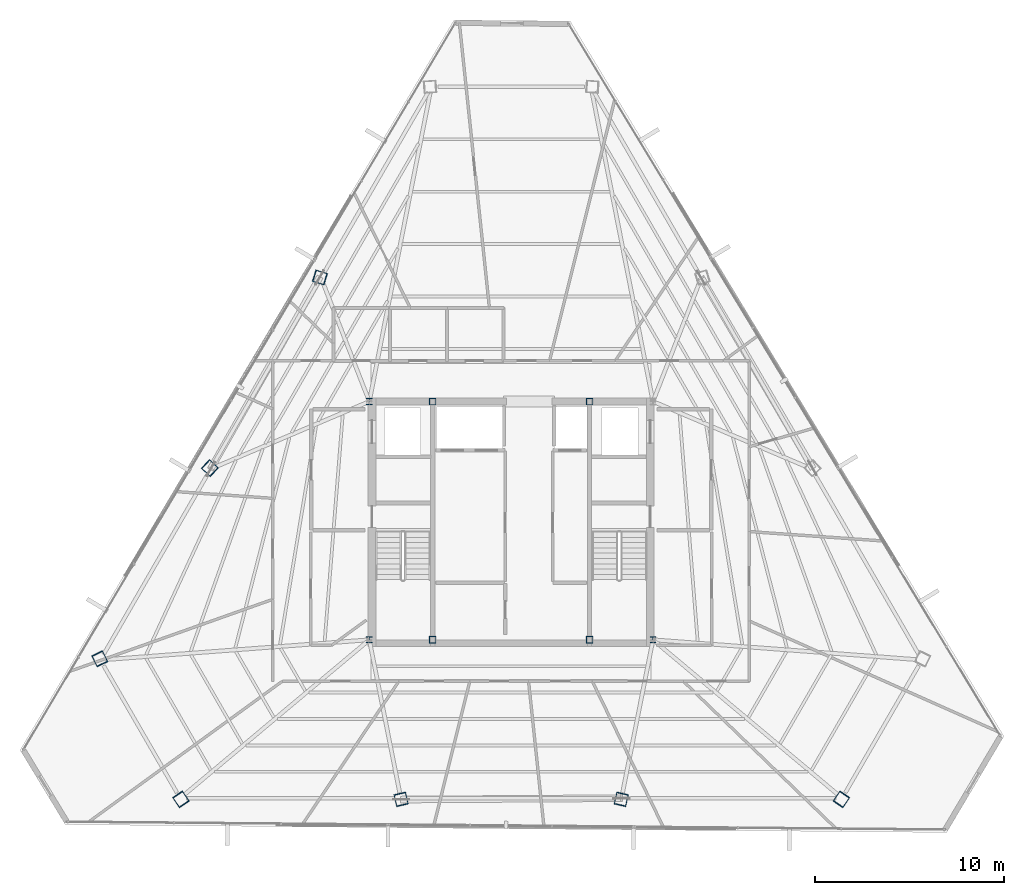
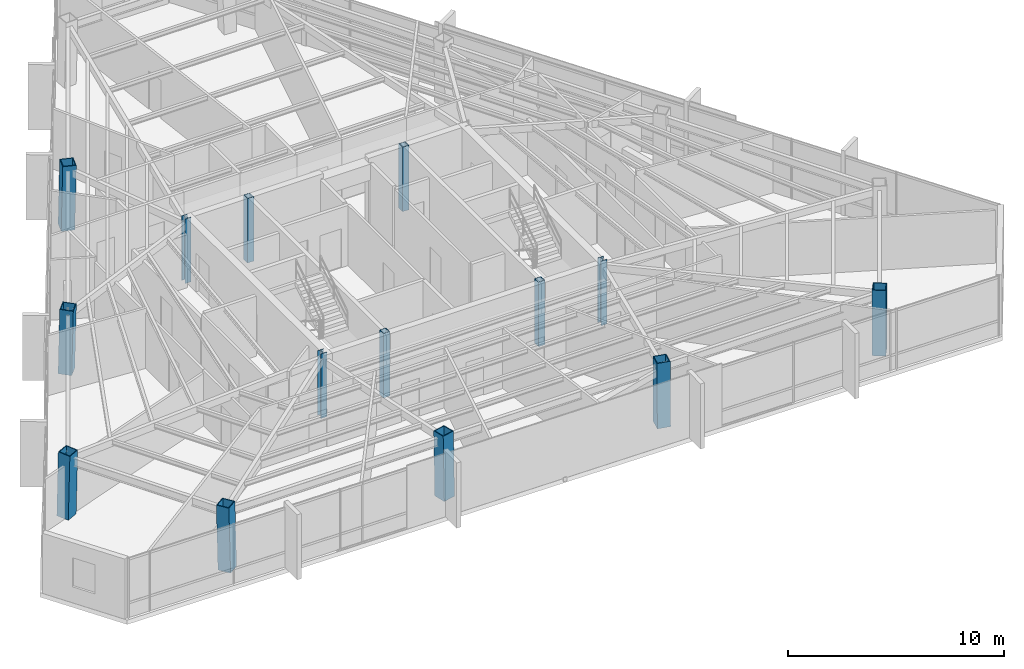
# One storey, part 1 of 46: 14 columns.
"""IFC4 building model written with IfcOpenShell, lengths in metres."""

from ifc_helpers import new_model, si_unit, direction, frame, origin, origin_2d, place, context, subcontext, project, spatial, hollow_rectangle, i_section, extrude, source, transform, mapped, material, material_profile, profile_set, type_object, type_shapes, element, save


model = new_model("IFC4")

# Units and contexts
model_context = context("Model", 3, precision=1e-05, world=origin(), true_north=direction((0.0, 1.0)))
body_context = subcontext(model_context, "Body", "Model", "MODEL_VIEW")
ifc_project = project(units=[si_unit("LENGTHUNIT", "METRE"), si_unit("AREAUNIT", "SQUARE_METRE"), si_unit("VOLUMEUNIT", "CUBIC_METRE"), si_unit("PLANEANGLEUNIT", "RADIAN"), si_unit("MASSUNIT", "GRAM", prefix="KILO")], contexts=[model_context])

# Site, building, storey
site_placement = place(None, origin())
site = spatial("IfcSite", under=ifc_project, at=site_placement, CompositionType="ELEMENT")
building_placement = place(site_placement, origin())
building = spatial("IfcBuilding", under=site, at=building_placement, Name="Caelisora Broadcast Tower", CompositionType="ELEMENT")
storey_placement = place(building_placement, frame((0.0, 0.0, 237.14990234375)))
storey = spatial("IfcBuildingStorey", under=building, at=storey_placement, Name="L62", CompositionType="ELEMENT", Elevation=237.14990234375)

# Columns
ifc_material_1 = material(Name="Steel Grade 350 (AS/NZS 1163 C350L0)", Category="steel")
ifc_material_profile_1 = material_profile(ifc_material_1, hollow_rectangle(XDim=0.35009765625, YDim=0.35009765625, WallThickness=0.01611328125, at=origin_2d()), Name="Steel Grade 350 (AS/NZS 1163 C350L0)")
ifc_profile_set_1 = profile_set([ifc_material_profile_1], Name="Steel Grade 350 (AS/NZS 1163 C350L0)")
column_type_1 = type_object("IfcColumnType", Name="CC07", PredefinedType="COLUMN", material=ifc_profile_set_1)
shared_shape_1 = source(origin(), body_context, "Body", "SweptSolid", [
    extrude(hollow_rectangle(XDim=0.35009765625, YDim=0.35009765625, WallThickness=0.01611328125, at=origin_2d()), origin(), (0.0, 0.0, 1.0), 3.650146484375),
])
type_shapes(column_type_1, [shared_shape_1])
for number, where, z_axis, x_axis, name in (
    (1, (33.85009765625, 17.39990234375, 0.0), (0.0, 0.0, 1.0), (1.0, 0.0, 0.0), "L62 column CC07"),
    (2, (42.14990234375, 17.39990234375, 0.0), (0.0, 0.0, 1.0), (1.0, 0.0, 0.0), "L62 column CC07"),
    (3, (33.85009765625, 30.0, 0.0), (0.0, 0.0, 1.0), (1.0, 0.0, 0.0), "L62 column CC07"),
    (4, (42.14990234375, 30.0, 0.0), (0.0, 0.0, 1.0), (1.0, 0.0, 0.0), "L62 column CC07"),
):
    element("IfcColumn", number, at=place(storey_placement, frame(where, z_axis=z_axis, x_axis=x_axis)), inside=storey, type_object=column_type_1, Name=name, PredefinedType="COLUMN", context=body_context, shape_type="MappedRepresentation", body=[
        mapped(shared_shape_1, transform((0.0, 0.0, 0.0), scale=1.0)),
    ])
ifc_material_2 = material(Name="Steel Grade 350 (AS/NZS 3679.1)", Category="steel")
ifc_material_profile_2 = material_profile(ifc_material_2, i_section(OverallWidth=0.31103515625, OverallDepth=0.3271484375, WebThickness=0.015625, FlangeThickness=0.02490234375, at=origin_2d()), Name="Steel Grade 350 (AS/NZS 3679.1)")
ifc_profile_set_2 = profile_set([ifc_material_profile_2], Name="Steel Grade 350 (AS/NZS 3679.1)")
column_type_2 = type_object("IfcColumnType", Name="CC03", PredefinedType="COLUMN", material=ifc_profile_set_2)
shared_shape_2 = source(origin(), body_context, "Body", "SweptSolid", [
    extrude(i_section(OverallWidth=0.31103515625, OverallDepth=0.3271484375, WebThickness=0.015625, FlangeThickness=0.02490234375, at=origin_2d()), origin(), (0.0, 0.0, 1.0), 3.650146484375),
])
type_shapes(column_type_2, [shared_shape_2])
for number, where, z_axis, x_axis, name in (
    (5, (30.5, 17.39990234375, 0.0), (0.0, 0.0, 1.0), (1.0, 0.0, 0.0), "L62 column CC03"),
    (6, (45.5, 17.39990234375, 0.0), (0.0, 0.0, 1.0), (1.0, 0.0, 0.0), "L62 column CC03"),
    (7, (30.5, 30.0, 0.0), (0.0, 0.0, 1.0), (1.0, 0.0, 0.0), "L62 column CC03"),
):
    element("IfcColumn", number, at=place(storey_placement, frame(where, z_axis=z_axis, x_axis=x_axis)), inside=storey, type_object=column_type_2, Name=name, PredefinedType="COLUMN", context=body_context, shape_type="MappedRepresentation", body=[
        mapped(shared_shape_2, transform((0.0, 0.0, 0.0), scale=1.0)),
    ])
ifc_material_3 = material(Name="Steel Grade 350 L15 (AS/NZS 3678)", Category="steel")
ifc_material_profile_3 = material_profile(ifc_material_3, hollow_rectangle(XDim=0.64990234375, YDim=0.64990234375, WallThickness=0.0400390625, at=origin_2d()), Name="Steel Grade 350 L15 (AS/NZS 3678)")
ifc_profile_set_3 = profile_set([ifc_material_profile_3], Name="Steel Grade 350 L15 (AS/NZS 3678)")
column_type_3 = type_object("IfcColumnType", Name="MC06", PredefinedType="COLUMN", material=ifc_profile_set_3)
shared_shape_3 = source(origin(), body_context, "Body", "SweptSolid", [
    extrude(hollow_rectangle(XDim=0.64990234375, YDim=0.64990234375, WallThickness=0.0400390625, at=origin_2d()), origin(), (0.0, 0.0, 1.0), 3.651123046875),
])
for number, where, z_axis, x_axis, name in (
    (8, (16.239501953125, 16.40869140625, 0.0), (0.010431083049, -0.021597691184, 0.999712324742), (0.900476348161, 0.434904985489, 0.0), "L62 column MC06"),
    (9, (20.54541015625, 8.95068359375, 0.0), (-0.013440068782, 0.019792340097, 0.999713772949), (-0.827290216258, -0.561774775229, 0.0), "L62 column MC06"),
    (10, (55.45458984375, 8.95068359375, 0.0), (0.013440068782, 0.019792340097, 0.999713772949), (-0.827290216258, 0.561774775229, 0.0), "L62 column MC06"),
):
    element("IfcColumn", number, at=place(storey_placement, frame(where, z_axis=z_axis, x_axis=x_axis)), inside=storey, type_object=column_type_3, Name=name, PredefinedType="COLUMN", context=body_context, shape_type="MappedRepresentation", body=[
        mapped(shared_shape_3, transform((0.0, 0.0, 0.0), scale=1.0)),
    ])
shared_shape_4 = source(origin(), body_context, "Body", "SweptSolid", [
    extrude(hollow_rectangle(XDim=0.64990234375, YDim=0.64990234375, WallThickness=0.0400390625, at=origin_2d()), origin(), (0.0, 0.0, 1.0), 3.65087890625),
])
type_shapes(column_type_3, [shared_shape_3, shared_shape_4])
for number, where, z_axis, x_axis, name in (
    (11, (27.8759765625, 36.5634765625, 0.0), (0.01939269685, -0.00601842316, 0.999793829693), (0.296399214872, 0.955064136811, 0.0), "L62 column MC06"),
    (12, (22.057861328125, 26.486083984375, 0.0), (0.014912302561, -0.01384236157, 0.999792984702), (0.680325028146, 0.732910537568, 0.0), "L62 column MC06"),
    (13, (32.181884765625, 8.95068359375, 0.0), (-0.004547252648, 0.019793923291, 0.999793740276), (-0.974612694662, -0.223897510936, 0.0), "L62 column MC06"),
    (14, (43.818115234375, 8.95068359375, 0.0), (0.004547252648, 0.019793923291, 0.999793740276), (-0.974612694662, 0.223897510936, 0.0), "L62 column MC06"),
):
    element("IfcColumn", number, at=place(storey_placement, frame(where, z_axis=z_axis, x_axis=x_axis)), inside=storey, type_object=column_type_3, Name=name, PredefinedType="COLUMN", context=body_context, shape_type="MappedRepresentation", body=[
        mapped(shared_shape_4, transform((0.0, 0.0, 0.0), scale=1.0)),
    ])

save(model, "model.ifc")
